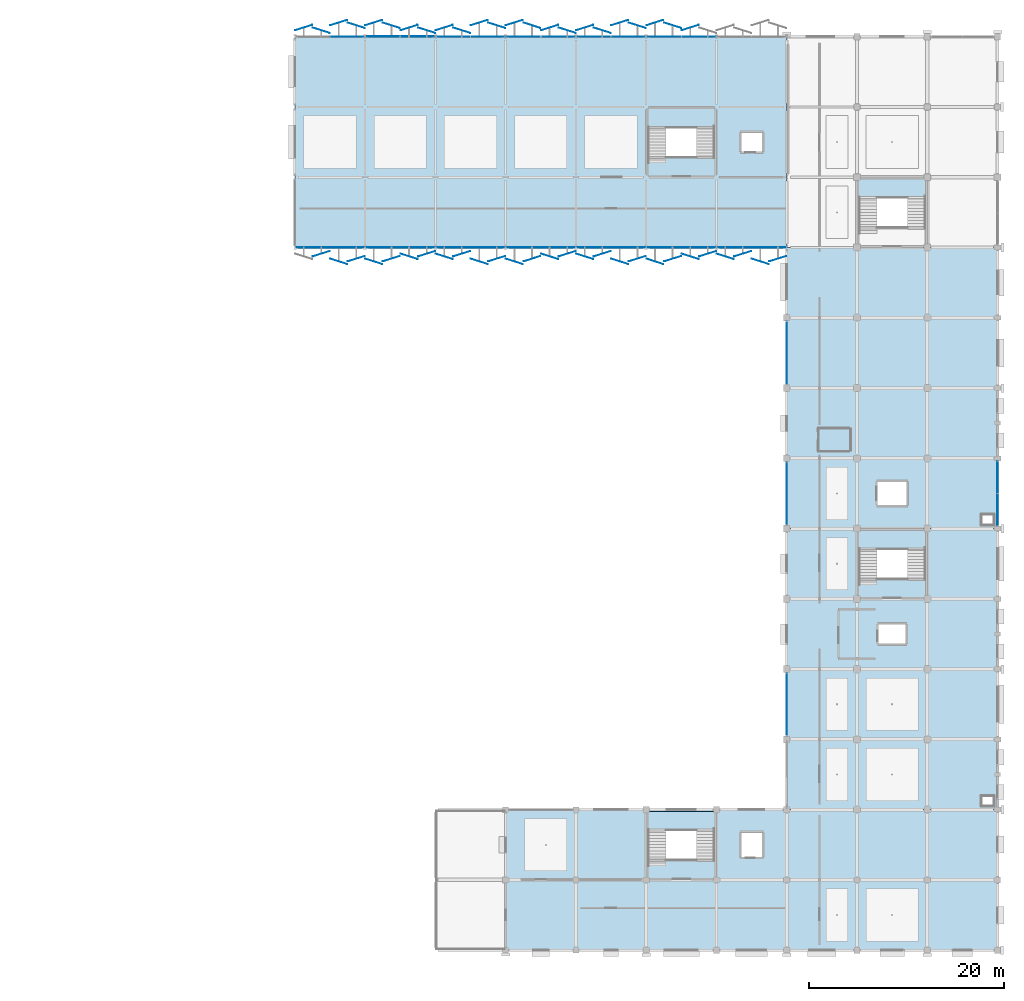
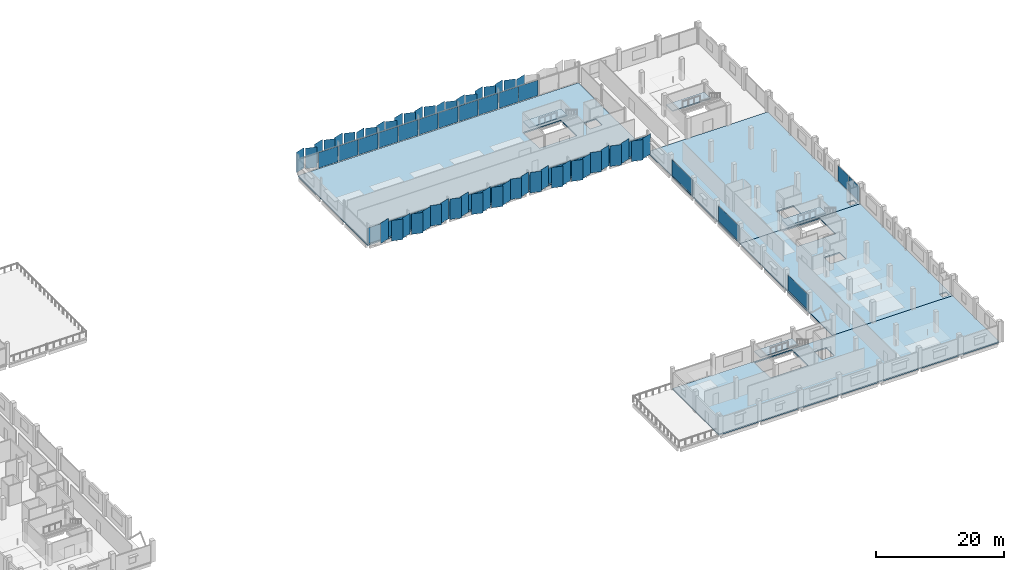
# One storey, part 62 of 91: 73 plates, 8 slabs, 21 elements without a shape of their own.
"""IFC4 building model written with IfcOpenShell, lengths in metres."""

from ifc_helpers import new_model, si_unit, direction, frame, origin, origin_2d, place, context, subcontext, project, spatial, polyline, rectangle, outline, extrude, material, layer, layer_set, type_object, element, aggregate, save


model = new_model("IFC4")

# Units and contexts
model_context = context("Model", 3, precision=1e-05, world=origin(), true_north=direction((0.0, 1.0)))
body_context = subcontext(model_context, "Body", "Model", "MODEL_VIEW")
ifc_project = project(units=[si_unit("LENGTHUNIT", "METRE"), si_unit("AREAUNIT", "SQUARE_METRE"), si_unit("VOLUMEUNIT", "CUBIC_METRE"), si_unit("PLANEANGLEUNIT", "RADIAN"), si_unit("MASSUNIT", "GRAM", prefix="KILO")], contexts=[model_context])

# Site, building, storey
site_placement = place(None, origin())
site = spatial("IfcSite", under=ifc_project, at=site_placement, CompositionType="ELEMENT")
building_placement = place(site_placement, origin())
building = spatial("IfcBuilding", under=site, at=building_placement, Name="Kangsadwip Square Police Headquarters", CompositionType="ELEMENT")
storey_placement = place(building_placement, frame((0.0, 0.0, 13.5)))
storey = spatial("IfcBuildingStorey", under=building, at=storey_placement, Name="L03", CompositionType="ELEMENT", Elevation=13.5)

# Curtain wall, plate
ifc_material_1 = material(Name="Thermally broken anodised aluminium AW-6063-T6", Category="aluminium")
ifc_layer_1 = layer(ifc_material_1, 0.159912109375)
ifc_layer_set_1 = layer_set([ifc_layer_1], Name="Thermally broken anodised aluminium AW-6063-T6")
curtain_wall_type_1 = type_object("IfcCurtainWallType", Name="CourtScreen7180x3200", PredefinedType="USERDEFINED", material=ifc_layer_set_1)
curtain_wall_1_placement = place(storey_placement, origin())
curtain_wall_1 = element("IfcCurtainWall", 1, at=curtain_wall_1_placement, inside=storey, type_object=curtain_wall_type_1, Name="Curtain Wall CW-L03-0936-0936", ObjectType="GLAZED_SCREEN", PredefinedType="USERDEFINED")
ifc_material_2 = material(Name="Double-glazed solar-control low-E safety glass", Category="glass")
ifc_layer_2 = layer(ifc_material_2, 0.02392578125)
ifc_layer_set_2 = layer_set([ifc_layer_2], Name="Double-glazed solar-control low-E safety glass")
plate_type_1 = type_object("IfcPlateType", Name="CwCourtVisionPanel24", PredefinedType="CURTAIN_PANEL", material=ifc_layer_set_2)
plate_1_placement = place(storey_placement, frame((97.199951171875, 93.60009765625, 0.1201171875), z_axis=(0.0, 0.0, 1.0), x_axis=(1.0, 0.0, 0.0)))
plate_1 = element("IfcPlate", 2, at=plate_1_placement, type_object=plate_type_1, Name="CW-17 panel 1.1", PredefinedType="CURTAIN_PANEL", context=body_context, shape_type="SweptSolid", body=[
    extrude(rectangle(XDim=7.06005859375, YDim=0.02392578125, at=origin_2d()), origin(), (0.0, 0.0, 1.0), 2.9599609375),
])
aggregate(curtain_wall_1, [plate_1])

curtain_wall_2_placement = place(storey_placement, origin())
curtain_wall_2 = element("IfcCurtainWall", 3, at=curtain_wall_2_placement, inside=storey, type_object=curtain_wall_type_1, Name="Curtain Wall CW-L03-1008-0936", ObjectType="GLAZED_SCREEN", PredefinedType="USERDEFINED")
plate_2_placement = place(storey_placement, frame((104.39990234375, 93.60009765625, 0.1201171875), z_axis=(0.0, 0.0, 1.0), x_axis=(1.0, 0.0, 0.0)))
plate_2 = element("IfcPlate", 4, at=plate_2_placement, type_object=plate_type_1, Name="CW-17 panel 1.1", PredefinedType="CURTAIN_PANEL", context=body_context, shape_type="SweptSolid", body=[
    extrude(rectangle(XDim=7.06005859375, YDim=0.02392578125, at=origin_2d()), origin(), (0.0, 0.0, 1.0), 2.9599609375),
])
aggregate(curtain_wall_2, [plate_2])

curtain_wall_3_placement = place(storey_placement, origin())
curtain_wall_3 = element("IfcCurtainWall", 5, at=curtain_wall_3_placement, inside=storey, type_object=curtain_wall_type_1, Name="Curtain Wall CW-L03-1080-0936", ObjectType="GLAZED_SCREEN", PredefinedType="USERDEFINED")
plate_3_placement = place(storey_placement, frame((111.60009765625, 93.60009765625, 0.1201171875), z_axis=(0.0, 0.0, 1.0), x_axis=(1.0, 0.0, 0.0)))
plate_3 = element("IfcPlate", 6, at=plate_3_placement, type_object=plate_type_1, Name="CW-17 panel 1.1", PredefinedType="CURTAIN_PANEL", context=body_context, shape_type="SweptSolid", body=[
    extrude(rectangle(XDim=7.06005859375, YDim=0.02392578125, at=origin_2d()), origin(), (0.0, 0.0, 1.0), 2.9599609375),
])
aggregate(curtain_wall_3, [plate_3])

curtain_wall_4_placement = place(storey_placement, origin())
curtain_wall_4 = element("IfcCurtainWall", 7, at=curtain_wall_4_placement, inside=storey, type_object=curtain_wall_type_1, Name="Curtain Wall CW-L03-1152-0936", ObjectType="GLAZED_SCREEN", PredefinedType="USERDEFINED")
plate_4_placement = place(storey_placement, frame((118.800048828125, 93.60009765625, 0.1201171875), z_axis=(0.0, 0.0, 1.0), x_axis=(1.0, 0.0, 0.0)))
plate_4 = element("IfcPlate", 8, at=plate_4_placement, type_object=plate_type_1, Name="CW-17 panel 1.1", PredefinedType="CURTAIN_PANEL", context=body_context, shape_type="SweptSolid", body=[
    extrude(rectangle(XDim=7.06005859375, YDim=0.02392578125, at=origin_2d()), origin(), (0.0, 0.0, 1.0), 2.9599609375),
])
aggregate(curtain_wall_4, [plate_4])

curtain_wall_5_placement = place(storey_placement, origin())
curtain_wall_5 = element("IfcCurtainWall", 9, at=curtain_wall_5_placement, inside=storey, type_object=curtain_wall_type_1, Name="Curtain Wall CW-L03-1224-0936", ObjectType="GLAZED_SCREEN", PredefinedType="USERDEFINED")
plate_5_placement = place(storey_placement, frame((126.0, 93.60009765625, 0.1201171875), z_axis=(0.0, 0.0, 1.0), x_axis=(1.0, 0.0, 0.0)))
plate_5 = element("IfcPlate", 10, at=plate_5_placement, type_object=plate_type_1, Name="CW-17 panel 1.1", PredefinedType="CURTAIN_PANEL", context=body_context, shape_type="SweptSolid", body=[
    extrude(rectangle(XDim=7.06005859375, YDim=0.02392578125, at=origin_2d()), origin(), (0.0, 0.0, 1.0), 2.9599609375),
])
aggregate(curtain_wall_5, [plate_5])

curtain_wall_6_placement = place(storey_placement, origin())
curtain_wall_6 = element("IfcCurtainWall", 11, at=curtain_wall_6_placement, inside=storey, type_object=curtain_wall_type_1, Name="Curtain Wall CW-L03-1296-0936", ObjectType="GLAZED_SCREEN", PredefinedType="USERDEFINED")
plate_6_placement = place(storey_placement, frame((133.199951171875, 93.60009765625, 0.1201171875), z_axis=(0.0, 0.0, 1.0), x_axis=(1.0, 0.0, 0.0)))
plate_6 = element("IfcPlate", 12, at=plate_6_placement, type_object=plate_type_1, Name="CW-17 panel 1.1", PredefinedType="CURTAIN_PANEL", context=body_context, shape_type="SweptSolid", body=[
    extrude(rectangle(XDim=7.06005859375, YDim=0.02392578125, at=origin_2d()), origin(), (0.0, 0.0, 1.0), 2.9599609375),
])
aggregate(curtain_wall_6, [plate_6])

curtain_wall_7_placement = place(storey_placement, origin())
curtain_wall_7 = element("IfcCurtainWall", 13, at=curtain_wall_7_placement, inside=storey, type_object=curtain_wall_type_1, Name="Curtain Wall CW-L03-1368-0936", ObjectType="GLAZED_SCREEN", PredefinedType="USERDEFINED")
plate_7_placement = place(storey_placement, frame((140.39990234375, 93.60009765625, 0.1201171875), z_axis=(0.0, 0.0, 1.0), x_axis=(1.0, 0.0, 0.0)))
plate_7 = element("IfcPlate", 14, at=plate_7_placement, type_object=plate_type_1, Name="CW-17 panel 1.1", PredefinedType="CURTAIN_PANEL", context=body_context, shape_type="SweptSolid", body=[
    extrude(rectangle(XDim=7.06005859375, YDim=0.02392578125, at=origin_2d()), origin(), (0.0, 0.0, 1.0), 2.9599609375),
])
aggregate(curtain_wall_7, [plate_7])

ifc_material_3 = material(Name="Thermally broken anodised aluminium AW-6063-T6", Category="aluminium")
ifc_layer_3 = layer(ifc_material_3, 0.159912109375)
ifc_layer_set_3 = layer_set([ifc_layer_3], Name="Thermally broken anodised aluminium AW-6063-T6")
curtain_wall_type_2 = type_object("IfcCurtainWallType", Name="CourtScreen6510x3200", PredefinedType="USERDEFINED", material=ifc_layer_set_3)
curtain_wall_8_placement = place(storey_placement, origin())
curtain_wall_8 = element("IfcCurtainWall", 15, at=curtain_wall_8_placement, inside=storey, type_object=curtain_wall_type_2, Name="Curtain Wall CW-L03-1440-0435", ObjectType="GLAZED_SCREEN", PredefinedType="USERDEFINED")
plate_8_placement = place(storey_placement, frame((144.0, 46.800048828125, 0.1201171875), z_axis=(0.0, 0.0, 1.0), x_axis=(0.0, 1.0, 0.0)))
plate_8 = element("IfcPlate", 16, at=plate_8_placement, type_object=plate_type_1, Name="CW-19 panel 1.1", PredefinedType="CURTAIN_PANEL", context=body_context, shape_type="SweptSolid", body=[
    extrude(rectangle(XDim=6.389892578125, YDim=0.02392578125, at=origin_2d()), origin(), (0.0, 0.0, 1.0), 2.9599609375),
])
aggregate(curtain_wall_8, [plate_8])

curtain_wall_9_placement = place(storey_placement, origin())
curtain_wall_9 = element("IfcCurtainWall", 17, at=curtain_wall_9_placement, inside=storey, type_object=curtain_wall_type_2, Name="Curtain Wall CW-L03-1440-0651", ObjectType="GLAZED_SCREEN", PredefinedType="USERDEFINED")
plate_9_placement = place(storey_placement, frame((144.0, 68.39990234375, 0.1201171875), z_axis=(0.0, 0.0, 1.0), x_axis=(0.0, 1.0, 0.0)))
plate_9 = element("IfcPlate", 18, at=plate_9_placement, type_object=plate_type_1, Name="CW-19 panel 1.1", PredefinedType="CURTAIN_PANEL", context=body_context, shape_type="SweptSolid", body=[
    extrude(rectangle(XDim=6.389892578125, YDim=0.02392578125, at=origin_2d()), origin(), (0.0, 0.0, 1.0), 2.9599609375),
])
aggregate(curtain_wall_9, [plate_9])

curtain_wall_10_placement = place(storey_placement, origin())
curtain_wall_10 = element("IfcCurtainWall", 19, at=curtain_wall_10_placement, inside=storey, type_object=curtain_wall_type_2, Name="Curtain Wall CW-L03-1440-0795", ObjectType="GLAZED_SCREEN", PredefinedType="USERDEFINED")
plate_10_placement = place(storey_placement, frame((144.0, 82.800048828125, 0.1201171875), z_axis=(0.0, 0.0, 1.0), x_axis=(0.0, 1.0, 0.0)))
plate_10 = element("IfcPlate", 20, at=plate_10_placement, type_object=plate_type_1, Name="CW-19 panel 1.1", PredefinedType="CURTAIN_PANEL", context=body_context, shape_type="SweptSolid", body=[
    extrude(rectangle(XDim=6.389892578125, YDim=0.02392578125, at=origin_2d()), origin(), (0.0, 0.0, 1.0), 2.9599609375),
])
aggregate(curtain_wall_10, [plate_10])

ifc_material_4 = material(Name="Thermally broken anodised aluminium AW-6063-T6", Category="aluminium")
ifc_layer_4 = layer(ifc_material_4, 0.159912109375)
ifc_layer_set_4 = layer_set([ifc_layer_4], Name="Thermally broken anodised aluminium AW-6063-T6")
curtain_wall_type_3 = type_object("IfcCurtainWallType", Name="UnitisedCw7180x3200", PredefinedType="NOTDEFINED", material=ifc_layer_set_4)
curtain_wall_11_placement = place(storey_placement, origin())
curtain_wall_11 = element("IfcCurtainWall", 21, at=curtain_wall_11_placement, inside=storey, type_object=curtain_wall_type_3, Name="Curtain Wall CW-L03-0936-1152", PredefinedType="NOTDEFINED")
ifc_material_5 = material(Name="Double-glazed solar-control low-E safety glass", Category="glass")
ifc_layer_5 = layer(ifc_material_5, 0.028076171875)
ifc_layer_set_5 = layer_set([ifc_layer_5], Name="Double-glazed solar-control low-E safety glass")
plate_type_2 = type_object("IfcPlateType", Name="CwSolarVisionPanel28", PredefinedType="CURTAIN_PANEL", material=ifc_layer_set_5)
plate_11_placement = place(storey_placement, frame((98.978759765625, 115.199951171875, 0.130126953125), z_axis=(0.0, 0.0, 1.0), x_axis=(1.0, 0.0, 0.0)))
plate_11 = element("IfcPlate", 22, at=plate_11_placement, type_object=plate_type_2, Name="CW-38 panel 2.1", PredefinedType="CURTAIN_PANEL", context=body_context, shape_type="SweptSolid", body=[
    extrude(rectangle(XDim=3.492431640625, YDim=0.028076171875, at=origin_2d()), origin(), (0.0, 0.0, 1.0), 2.93994140625),
])
aggregate(curtain_wall_11, [plate_11])

# Curtain wall, plates
curtain_wall_12_placement = place(storey_placement, origin())
curtain_wall_12 = element("IfcCurtainWall", 23, at=curtain_wall_12_placement, inside=storey, type_object=curtain_wall_type_3, Name="Curtain Wall CW-L03-1080-1152", PredefinedType="NOTDEFINED")
plate_12_placement = place(storey_placement, frame((109.8212890625, 115.199951171875, 0.130126953125), z_axis=(0.0, 0.0, 1.0), x_axis=(1.0, 0.0, 0.0)))
plate_12 = element("IfcPlate", 24, at=plate_12_placement, type_object=plate_type_2, Name="CW-38 panel 1.1", PredefinedType="CURTAIN_PANEL", context=body_context, shape_type="SweptSolid", body=[
    extrude(rectangle(XDim=3.492431640625, YDim=0.028076171875, at=origin_2d()), origin(), (0.0, 0.0, 1.0), 2.93994140625),
])
plate_13_placement = place(storey_placement, frame((113.378662109375, 115.199951171875, 0.130126953125), z_axis=(0.0, 0.0, 1.0), x_axis=(1.0, 0.0, 0.0)))
plate_13 = element("IfcPlate", 25, at=plate_13_placement, type_object=plate_type_2, Name="CW-38 panel 2.1", PredefinedType="CURTAIN_PANEL", context=body_context, shape_type="SweptSolid", body=[
    extrude(rectangle(XDim=3.492431640625, YDim=0.028076171875, at=origin_2d()), origin(), (0.0, 0.0, 1.0), 2.93994140625),
])
aggregate(curtain_wall_12, [plate_12, plate_13])

curtain_wall_13_placement = place(storey_placement, origin())
curtain_wall_13 = element("IfcCurtainWall", 26, at=curtain_wall_13_placement, inside=storey, type_object=curtain_wall_type_3, Name="Curtain Wall CW-L03-1152-1152", PredefinedType="NOTDEFINED")
plate_14_placement = place(storey_placement, frame((117.021240234375, 115.199951171875, 0.130126953125), z_axis=(0.0, 0.0, 1.0), x_axis=(1.0, 0.0, 0.0)))
plate_14 = element("IfcPlate", 27, at=plate_14_placement, type_object=plate_type_2, Name="CW-38 panel 1.1", PredefinedType="CURTAIN_PANEL", context=body_context, shape_type="SweptSolid", body=[
    extrude(rectangle(XDim=3.492431640625, YDim=0.028076171875, at=origin_2d()), origin(), (0.0, 0.0, 1.0), 2.93994140625),
])
plate_15_placement = place(storey_placement, frame((120.578857421875, 115.199951171875, 0.130126953125), z_axis=(0.0, 0.0, 1.0), x_axis=(1.0, 0.0, 0.0)))
plate_15 = element("IfcPlate", 28, at=plate_15_placement, type_object=plate_type_2, Name="CW-38 panel 2.1", PredefinedType="CURTAIN_PANEL", context=body_context, shape_type="SweptSolid", body=[
    extrude(rectangle(XDim=3.492431640625, YDim=0.028076171875, at=origin_2d()), origin(), (0.0, 0.0, 1.0), 2.93994140625),
])
aggregate(curtain_wall_13, [plate_14, plate_15])

curtain_wall_14_placement = place(storey_placement, origin())
curtain_wall_14 = element("IfcCurtainWall", 29, at=curtain_wall_14_placement, inside=storey, type_object=curtain_wall_type_3, Name="Curtain Wall CW-L03-1224-1152", PredefinedType="NOTDEFINED")
plate_16_placement = place(storey_placement, frame((124.22119140625, 115.199951171875, 0.130126953125), z_axis=(0.0, 0.0, 1.0), x_axis=(1.0, 0.0, 0.0)))
plate_16 = element("IfcPlate", 30, at=plate_16_placement, type_object=plate_type_2, Name="CW-38 panel 1.1", PredefinedType="CURTAIN_PANEL", context=body_context, shape_type="SweptSolid", body=[
    extrude(rectangle(XDim=3.492431640625, YDim=0.028076171875, at=origin_2d()), origin(), (0.0, 0.0, 1.0), 2.93994140625),
])
plate_17_placement = place(storey_placement, frame((127.77880859375, 115.199951171875, 0.130126953125), z_axis=(0.0, 0.0, 1.0), x_axis=(1.0, 0.0, 0.0)))
plate_17 = element("IfcPlate", 31, at=plate_17_placement, type_object=plate_type_2, Name="CW-38 panel 2.1", PredefinedType="CURTAIN_PANEL", context=body_context, shape_type="SweptSolid", body=[
    extrude(rectangle(XDim=3.492431640625, YDim=0.028076171875, at=origin_2d()), origin(), (0.0, 0.0, 1.0), 2.93994140625),
])
aggregate(curtain_wall_14, [plate_16, plate_17])

curtain_wall_15_placement = place(storey_placement, origin())
curtain_wall_15 = element("IfcCurtainWall", 32, at=curtain_wall_15_placement, inside=storey, type_object=curtain_wall_type_3, Name="Curtain Wall CW-L03-1296-1152", PredefinedType="NOTDEFINED")
plate_18_placement = place(storey_placement, frame((131.421142578125, 115.199951171875, 0.130126953125), z_axis=(0.0, 0.0, 1.0), x_axis=(1.0, 0.0, 0.0)))
plate_18 = element("IfcPlate", 33, at=plate_18_placement, type_object=plate_type_2, Name="CW-38 panel 1.1", PredefinedType="CURTAIN_PANEL", context=body_context, shape_type="SweptSolid", body=[
    extrude(rectangle(XDim=3.492431640625, YDim=0.028076171875, at=origin_2d()), origin(), (0.0, 0.0, 1.0), 2.93994140625),
])
plate_19_placement = place(storey_placement, frame((134.978759765625, 115.199951171875, 0.130126953125), z_axis=(0.0, 0.0, 1.0), x_axis=(1.0, 0.0, 0.0)))
plate_19 = element("IfcPlate", 34, at=plate_19_placement, type_object=plate_type_2, Name="CW-38 panel 2.1", PredefinedType="CURTAIN_PANEL", context=body_context, shape_type="SweptSolid", body=[
    extrude(rectangle(XDim=3.492431640625, YDim=0.028076171875, at=origin_2d()), origin(), (0.0, 0.0, 1.0), 2.93994140625),
])
aggregate(curtain_wall_15, [plate_18, plate_19])

ifc_material_6 = material(Name="Thermally broken anodised aluminium AW-6063-T6", Category="aluminium")
ifc_layer_6 = layer(ifc_material_6, 0.159912109375)
ifc_layer_set_6 = layer_set([ifc_layer_6], Name="Thermally broken anodised aluminium AW-6063-T6")
curtain_wall_type_4 = type_object("IfcCurtainWallType", Name="UnitisedCw6710x3200", PredefinedType="NOTDEFINED", material=ifc_layer_set_6)
curtain_wall_16_placement = place(storey_placement, origin())
curtain_wall_16 = element("IfcCurtainWall", 35, at=curtain_wall_16_placement, inside=storey, type_object=curtain_wall_type_4, Name="Curtain Wall CW-L03-1656-0650", PredefinedType="NOTDEFINED")
plate_20_placement = place(storey_placement, frame((165.60009765625, 66.73876953125, 0.130126953125), z_axis=(0.0, 0.0, 1.0), x_axis=(0.0, 1.0, 0.0)))
plate_20 = element("IfcPlate", 36, at=plate_20_placement, type_object=plate_type_2, Name="CW-41 panel 1.1", PredefinedType="CURTAIN_PANEL", context=body_context, shape_type="SweptSolid", body=[
    extrude(rectangle(XDim=3.257568359375, YDim=0.028076171875, at=origin_2d()), origin(), (0.0, 0.0, 1.0), 2.93994140625),
])
plate_21_placement = place(storey_placement, frame((165.60009765625, 70.061279296875, 0.130126953125), z_axis=(0.0, 0.0, 1.0), x_axis=(0.0, 1.0, 0.0)))
plate_21 = element("IfcPlate", 37, at=plate_21_placement, type_object=plate_type_2, Name="CW-41 panel 2.1", PredefinedType="CURTAIN_PANEL", context=body_context, shape_type="SweptSolid", body=[
    extrude(rectangle(XDim=3.257568359375, YDim=0.028076171875, at=origin_2d()), origin(), (0.0, 0.0, 1.0), 2.93994140625),
])
aggregate(curtain_wall_16, [plate_20, plate_21])

curtain_wall_17_placement = place(storey_placement, origin())
curtain_wall_17 = element("IfcCurtainWall", 38, at=curtain_wall_17_placement, inside=storey, type_object=curtain_wall_type_3, Name="Curtain Wall CW-L03-1008-1152", PredefinedType="NOTDEFINED")
ifc_material_7 = material(Name="Insulated ceramic-fritted spandrel safety glass", Category="glass")
ifc_layer_7 = layer(ifc_material_7, 0.0400390625)
ifc_layer_set_7 = layer_set([ifc_layer_7], Name="Insulated ceramic-fritted spandrel safety glass")
plate_type_3 = type_object("IfcPlateType", Name="CwSpandrelSheetPanel40", PredefinedType="SHEET", material=ifc_layer_set_7)
plate_22_placement = place(storey_placement, frame((102.621337890625, 115.199951171875, 0.130126953125), z_axis=(0.0, 0.0, 1.0), x_axis=(1.0, 0.0, 0.0)))
plate_22 = element("IfcPlate", 39, at=plate_22_placement, type_object=plate_type_3, Name="CW-38 panel 1.1", PredefinedType="SHEET", context=body_context, shape_type="SweptSolid", body=[
    extrude(rectangle(XDim=3.492431640625, YDim=0.0400390625, at=origin_2d()), origin(), (0.0, 0.0, 1.0), 2.93994140625),
])
plate_23_placement = place(storey_placement, frame((106.1787109375, 115.199951171875, 0.130126953125), z_axis=(0.0, 0.0, 1.0), x_axis=(1.0, 0.0, 0.0)))
plate_23 = element("IfcPlate", 40, at=plate_23_placement, type_object=plate_type_3, Name="CW-38 panel 2.1", PredefinedType="SHEET", context=body_context, shape_type="SweptSolid", body=[
    extrude(rectangle(XDim=3.492431640625, YDim=0.0400390625, at=origin_2d()), origin(), (0.0, 0.0, 1.0), 2.93994140625),
])
aggregate(curtain_wall_17, [plate_22, plate_23])

# Slabs
ifc_material_8 = material(Name="Concrete M35 (35 MPa)", Category="concrete")
ifc_layer_8 = layer(ifc_material_8, 0.239990234375)
ifc_layer_set_8 = layer_set([ifc_layer_8], Name="Concrete M35 (35 MPa)")
slab_type_1 = type_object("IfcSlabType", Name="MainFloorSlab240", PredefinedType="FLOOR", material=ifc_layer_set_8)
slab_1_placement = place(storey_placement, frame((0.0, 0.0, -0.239990234375)))
element("IfcSlab", 41, at=slab_1_placement, inside=storey, type_object=slab_type_1, Name="L03 Vol2 Slab SL-L03-040", PredefinedType="FLOOR", context=body_context, shape_type="SweptSolid", body=[
    extrude(outline(polyline([(93.60009765625, 93.60009765625), (93.60009765625, 115.199951171875), (144.0, 115.199951171875), (144.0, 93.60009765625), (93.60009765625, 93.60009765625)]), holes=[polyline([(136.580078125, 102.8798828125), (136.580078125, 107.780029296875), (129.820068359375, 107.780029296875), (129.820068359375, 102.8798828125), (136.580078125, 102.8798828125)]), polyline([(141.47509765625, 103.425048828125), (141.47509765625, 105.375), (139.324951171875, 105.375), (139.324951171875, 103.425048828125), (141.47509765625, 103.425048828125)])]), origin(), (0.0, 0.0, 1.0), 0.239990234375),
])
slab_2_placement = place(storey_placement, frame((0.0, 0.0, -0.239990234375)))
element("IfcSlab", 42, at=slab_2_placement, inside=storey, type_object=slab_type_1, Name="L03 Vol6S Slab SL-L03-044", PredefinedType="FLOOR", context=body_context, shape_type="SweptSolid", body=[
    extrude(outline(polyline([(144.0, 36.0), (144.0, 64.800048828125), (165.60009765625, 64.800048828125), (165.60009765625, 36.0), (144.0, 36.0)]), holes=[polyline([(165.199951171875, 36.39990234375), (165.199951171875, 37.39990234375), (164.0, 37.39990234375), (164.0, 36.39990234375), (165.199951171875, 36.39990234375)]), polyline([(156.199951171875, 53.0), (156.199951171875, 55.0), (153.39990234375, 55.0), (153.39990234375, 53.0), (156.199951171875, 53.0)]), polyline([(158.179931640625, 59.679931640625), (158.179931640625, 64.580078125), (151.419921875, 64.580078125), (151.419921875, 59.679931640625), (158.179931640625, 59.679931640625)])]), origin(), (0.0, 0.0, 1.0), 0.239990234375),
])
slab_3_placement = place(storey_placement, frame((0.0, 0.0, -0.239990234375)))
element("IfcSlab", 43, at=slab_3_placement, inside=storey, type_object=slab_type_1, Name="L03 Vol6N Slab SL-L03-045", PredefinedType="FLOOR", context=body_context, shape_type="SweptSolid", body=[
    extrude(outline(polyline([(144.0, 64.800048828125), (144.0, 93.60009765625), (165.60009765625, 93.60009765625), (165.60009765625, 64.800048828125), (144.0, 64.800048828125)]), holes=[polyline([(165.199951171875, 66.199951171875), (164.0, 66.199951171875), (164.0, 65.199951171875), (165.199951171875, 65.199951171875), (165.199951171875, 66.199951171875)]), polyline([(156.300048828125, 69.60009765625), (153.300048828125, 69.60009765625), (153.300048828125, 67.199951171875), (156.300048828125, 67.199951171875), (156.300048828125, 69.60009765625)])]), origin(), (0.0, 0.0, 1.0), 0.239990234375),
])
slab_4_placement = place(storey_placement, frame((0.0, 0.0, -0.239990234375)))
element("IfcSlab", 44, at=slab_4_placement, inside=storey, type_object=slab_type_1, Name="L03 Vol7 Slab SL-L03-046", PredefinedType="FLOOR", context=body_context, shape_type="SweptSolid", body=[
    extrude(outline(polyline([(115.199951171875, 21.60009765625), (115.199951171875, 36.0), (165.60009765625, 36.0), (165.60009765625, 21.60009765625), (115.199951171875, 21.60009765625)]), holes=[polyline([(141.47509765625, 33.64990234375), (139.324951171875, 33.64990234375), (139.324951171875, 31.14990234375), (141.47509765625, 31.14990234375), (141.47509765625, 33.64990234375)]), polyline([(136.580078125, 30.8798828125), (136.580078125, 35.780029296875), (129.820068359375, 35.780029296875), (129.820068359375, 30.8798828125), (136.580078125, 30.8798828125)])]), origin(), (0.0, 0.0, 1.0), 0.239990234375),
])

# Plates
ifc_material_9 = material(Name="PVDF-coated perforated marine-grade aluminium AW-5052-H32", Category="aluminium")
ifc_layer_9 = layer(ifc_material_9, 0.0048828125)
ifc_layer_set_9 = layer_set([ifc_layer_9], Name="PVDF-coated perforated marine-grade aluminium AW-5052-H32")
plate_type_4 = type_object("IfcPlateType", Name="PleatedVeilFacet5", PredefinedType="USERDEFINED", material=ifc_layer_set_9)
for number, where, z_axis, x_axis, name in (
    (45, (94.5, 116.12548828125, 0.080078125), (0.0, 0.0, 1.0), (0.953716950748, 0.300705799504, 0.0), "Pleated Perforated Veil Facet PVF-L03-0113"),
    (46, (96.300048828125, 115.845458984375, 0.080078125), (0.0, 0.0, 1.0), (0.953716950748, -0.300705799504, 0.0), "Pleated Perforated Veil Facet PVF-L03-0114"),
    (47, (98.10009765625, 116.634521484375, 0.080078125), (0.0, 0.0, 1.0), (0.953716950748, 0.300705799504, 0.0), "Pleated Perforated Veil Facet PVF-L03-0115"),
    (48, (99.89990234375, 116.3544921875, 0.080078125), (0.0, 0.0, 1.0), (0.953716950748, -0.300705799504, 0.0), "Pleated Perforated Veil Facet PVF-L03-0116"),
    (49, (101.699951171875, 116.634521484375, 0.080078125), (0.0, 0.0, 1.0), (0.953716950748, 0.300705799504, 0.0), "Pleated Perforated Veil Facet PVF-L03-0117"),
    (50, (103.5, 116.3544921875, 0.080078125), (0.0, 0.0, 1.0), (0.953716950748, -0.300705799504, 0.0), "Pleated Perforated Veil Facet PVF-L03-0118"),
    (51, (105.300048828125, 116.12548828125, 0.080078125), (0.0, 0.0, 1.0), (0.953716950748, 0.300705799504, 0.0), "Pleated Perforated Veil Facet PVF-L03-0119"),
    (52, (107.10009765625, 115.845458984375, 0.080078125), (0.0, 0.0, 1.0), (0.953716950748, -0.300705799504, 0.0), "Pleated Perforated Veil Facet PVF-L03-0120"),
    (53, (108.89990234375, 116.12548828125, 0.080078125), (0.0, 0.0, 1.0), (0.953716950748, 0.300705799504, 0.0), "Pleated Perforated Veil Facet PVF-L03-0121"),
    (54, (110.699951171875, 115.845458984375, 0.080078125), (0.0, 0.0, 1.0), (0.953716950748, -0.300705799504, 0.0), "Pleated Perforated Veil Facet PVF-L03-0122"),
    (55, (112.5, 116.634521484375, 0.080078125), (0.0, 0.0, 1.0), (0.953716950748, 0.300705799504, 0.0), "Pleated Perforated Veil Facet PVF-L03-0123"),
    (56, (114.300048828125, 116.3544921875, 0.080078125), (0.0, 0.0, 1.0), (0.953716950748, -0.300705799504, 0.0), "Pleated Perforated Veil Facet PVF-L03-0124"),
    (57, (116.10009765625, 116.634521484375, 0.080078125), (0.0, 0.0, 1.0), (0.953716950748, 0.300705799504, 0.0), "Pleated Perforated Veil Facet PVF-L03-0125"),
    (58, (117.89990234375, 116.3544921875, 0.080078125), (0.0, 0.0, 1.0), (0.953716950748, -0.300705799504, 0.0), "Pleated Perforated Veil Facet PVF-L03-0126"),
    (59, (119.699951171875, 116.12548828125, 0.080078125), (0.0, 0.0, 1.0), (0.953716950748, 0.300705799504, 0.0), "Pleated Perforated Veil Facet PVF-L03-0127"),
    (60, (121.5, 115.845458984375, 0.080078125), (0.0, 0.0, 1.0), (0.953716950748, -0.300705799504, 0.0), "Pleated Perforated Veil Facet PVF-L03-0128"),
    (61, (123.300048828125, 116.12548828125, 0.080078125), (0.0, 0.0, 1.0), (0.953716950748, 0.300705799504, 0.0), "Pleated Perforated Veil Facet PVF-L03-0129"),
    (62, (125.10009765625, 115.845458984375, 0.080078125), (0.0, 0.0, 1.0), (0.953716950748, -0.300705799504, 0.0), "Pleated Perforated Veil Facet PVF-L03-0130"),
    (63, (126.89990234375, 116.634521484375, 0.080078125), (0.0, 0.0, 1.0), (0.953716950748, 0.300705799504, 0.0), "Pleated Perforated Veil Facet PVF-L03-0131"),
    (64, (128.699951171875, 116.3544921875, 0.080078125), (0.0, 0.0, 1.0), (0.953716950748, -0.300705799504, 0.0), "Pleated Perforated Veil Facet PVF-L03-0132"),
    (65, (130.5, 116.634521484375, 0.080078125), (0.0, 0.0, 1.0), (0.953716950748, 0.300705799504, 0.0), "Pleated Perforated Veil Facet PVF-L03-0133"),
    (66, (132.300048828125, 116.3544921875, 0.080078125), (0.0, 0.0, 1.0), (0.953716950748, -0.300705799504, 0.0), "Pleated Perforated Veil Facet PVF-L03-0134"),
    (67, (134.10009765625, 116.12548828125, 0.080078125), (0.0, 0.0, 1.0), (0.953716950748, 0.300705799504, 0.0), "Pleated Perforated Veil Facet PVF-L03-0135"),
    (68, (96.300048828125, 92.95458984375, 0.080078125), (0.0, 0.0, 1.0), (0.953716950748, 0.300705799504, 0.0), "Pleated Perforated Veil Facet PVF-L03-0310"),
    (69, (98.10009765625, 92.165283203125, 0.080078125), (0.0, 0.0, 1.0), (0.953716950748, -0.300705799504, 0.0), "Pleated Perforated Veil Facet PVF-L03-0311"),
    (70, (99.89990234375, 92.4453125, 0.080078125), (0.0, 0.0, 1.0), (0.953716950748, 0.300705799504, 0.0), "Pleated Perforated Veil Facet PVF-L03-0312"),
    (71, (101.699951171875, 92.165283203125, 0.080078125), (0.0, 0.0, 1.0), (0.953716950748, -0.300705799504, 0.0), "Pleated Perforated Veil Facet PVF-L03-0313"),
    (72, (103.5, 92.4453125, 0.080078125), (0.0, 0.0, 1.0), (0.953716950748, 0.300705799504, 0.0), "Pleated Perforated Veil Facet PVF-L03-0314"),
    (73, (105.300048828125, 92.674560546875, 0.080078125), (0.0, 0.0, 1.0), (0.953716950748, -0.300705799504, 0.0), "Pleated Perforated Veil Facet PVF-L03-0315"),
    (74, (107.10009765625, 92.95458984375, 0.080078125), (0.0, 0.0, 1.0), (0.953716950748, 0.300705799504, 0.0), "Pleated Perforated Veil Facet PVF-L03-0316"),
    (75, (108.89990234375, 92.674560546875, 0.080078125), (0.0, 0.0, 1.0), (0.953716950748, -0.300705799504, 0.0), "Pleated Perforated Veil Facet PVF-L03-0317"),
    (76, (110.699951171875, 92.95458984375, 0.080078125), (0.0, 0.0, 1.0), (0.953716950748, 0.300705799504, 0.0), "Pleated Perforated Veil Facet PVF-L03-0318"),
    (77, (112.5, 92.165283203125, 0.080078125), (0.0, 0.0, 1.0), (0.953716950748, -0.300705799504, 0.0), "Pleated Perforated Veil Facet PVF-L03-0319"),
    (78, (114.300048828125, 92.4453125, 0.080078125), (0.0, 0.0, 1.0), (0.953716950748, 0.300705799504, 0.0), "Pleated Perforated Veil Facet PVF-L03-0320"),
    (79, (116.10009765625, 92.165283203125, 0.080078125), (0.0, 0.0, 1.0), (0.953716950748, -0.300705799504, 0.0), "Pleated Perforated Veil Facet PVF-L03-0321"),
    (80, (117.89990234375, 92.4453125, 0.080078125), (0.0, 0.0, 1.0), (0.953716950748, 0.300705799504, 0.0), "Pleated Perforated Veil Facet PVF-L03-0322"),
    (81, (119.699951171875, 92.674560546875, 0.080078125), (0.0, 0.0, 1.0), (0.953716950748, -0.300705799504, 0.0), "Pleated Perforated Veil Facet PVF-L03-0323"),
    (82, (121.5, 92.95458984375, 0.080078125), (0.0, 0.0, 1.0), (0.953716950748, 0.300705799504, 0.0), "Pleated Perforated Veil Facet PVF-L03-0324"),
    (83, (123.300048828125, 92.674560546875, 0.080078125), (0.0, 0.0, 1.0), (0.953716950748, -0.300705799504, 0.0), "Pleated Perforated Veil Facet PVF-L03-0325"),
    (84, (125.10009765625, 92.95458984375, 0.080078125), (0.0, 0.0, 1.0), (0.953716950748, 0.300705799504, 0.0), "Pleated Perforated Veil Facet PVF-L03-0326"),
    (85, (126.89990234375, 92.165283203125, 0.080078125), (0.0, 0.0, 1.0), (0.953716950748, -0.300705799504, 0.0), "Pleated Perforated Veil Facet PVF-L03-0327"),
    (86, (128.699951171875, 92.4453125, 0.080078125), (0.0, 0.0, 1.0), (0.953716950748, 0.300705799504, 0.0), "Pleated Perforated Veil Facet PVF-L03-0328"),
    (87, (130.5, 92.165283203125, 0.080078125), (0.0, 0.0, 1.0), (0.953716950748, -0.300705799504, 0.0), "Pleated Perforated Veil Facet PVF-L03-0329"),
    (88, (132.300048828125, 92.4453125, 0.080078125), (0.0, 0.0, 1.0), (0.953716950748, 0.300705799504, 0.0), "Pleated Perforated Veil Facet PVF-L03-0330"),
    (89, (134.10009765625, 92.674560546875, 0.080078125), (0.0, 0.0, 1.0), (0.953716950748, -0.300705799504, 0.0), "Pleated Perforated Veil Facet PVF-L03-0331"),
    (90, (135.89990234375, 92.95458984375, 0.080078125), (0.0, 0.0, 1.0), (0.953716950748, 0.300705799504, 0.0), "Pleated Perforated Veil Facet PVF-L03-0332"),
    (91, (137.699951171875, 92.674560546875, 0.080078125), (0.0, 0.0, 1.0), (0.953716950748, -0.300705799504, 0.0), "Pleated Perforated Veil Facet PVF-L03-0333"),
    (92, (139.5, 92.95458984375, 0.080078125), (0.0, 0.0, 1.0), (0.953716950748, 0.300705799504, 0.0), "Pleated Perforated Veil Facet PVF-L03-0334"),
    (93, (141.300048828125, 92.165283203125, 0.080078125), (0.0, 0.0, 1.0), (0.953716950748, -0.300705799504, 0.0), "Pleated Perforated Veil Facet PVF-L03-0335"),
    (94, (143.10009765625, 92.4453125, 0.080078125), (0.0, 0.0, 1.0), (0.953716950748, 0.300705799504, 0.0), "Pleated Perforated Veil Facet PVF-L03-0336"),
):
    element("IfcPlate", number, at=place(storey_placement, frame(where, z_axis=z_axis, x_axis=x_axis)), inside=storey, type_object=plate_type_4, Name=name, ObjectType="VEIL_FACET", PredefinedType="USERDEFINED", context=body_context, shape_type="SweptSolid", body=[
        extrude(rectangle(XDim=1.820068359375, YDim=0.0048828125, at=origin_2d()), origin(), (0.0, 0.0, 1.0), 3.89990234375),
    ])

# Stair, slab
ifc_material_10 = material(Name="Concrete M35 (35 MPa)", Category="concrete")
stair_type = type_object("IfcStairType", Name="Stair2FlightTypW1850", PredefinedType="HALF_TURN_STAIR", material=ifc_material_10)
stair_1_placement = place(storey_placement, origin())
stair_1 = element("IfcStair", 95, at=stair_1_placement, inside=storey, type_object=stair_type, Name="Protected Stair ST-03 L03", PredefinedType="HALF_TURN_STAIR")
ifc_material_11 = material(Name="Concrete M35 (35 MPa)", Category="concrete")
ifc_layer_10 = layer(ifc_material_11, 0.199951171875)
ifc_layer_set_10 = layer_set([ifc_layer_10], Name="Concrete M35 (35 MPa)")
slab_type_2 = type_object("IfcSlabType", Name="StairLandingSlab200", PredefinedType="LANDING", material=ifc_layer_set_10)
slab_5_placement = place(storey_placement, frame((0.0, 0.0, 1.906005859375)))
slab_5 = element("IfcSlab", 96, at=slab_5_placement, type_object=slab_type_2, Name="ST-03 landing 1", PredefinedType="LANDING", context=body_context, shape_type="SweptSolid", body=[
    extrude(outline(polyline([(151.3701171875, 62.679931640625), (158.22998046875, 62.679931640625), (158.22998046875, 64.6298828125), (151.3701171875, 64.6298828125), (151.3701171875, 62.679931640625)])), origin(), (0.0, 0.0, 1.0), 0.199951171875),
])
aggregate(stair_1, [slab_5])

stair_2_placement = place(storey_placement, origin())
stair_2 = element("IfcStair", 97, at=stair_2_placement, inside=storey, type_object=stair_type, Name="Protected Stair ST-04 L03", PredefinedType="HALF_TURN_STAIR")
slab_6_placement = place(storey_placement, frame((0.0, 0.0, 1.906005859375)))
slab_6 = element("IfcSlab", 98, at=slab_6_placement, type_object=slab_type_2, Name="ST-04 landing 1", PredefinedType="LANDING", context=body_context, shape_type="SweptSolid", body=[
    extrude(outline(polyline([(151.3701171875, 98.679931640625), (158.22998046875, 98.679931640625), (158.22998046875, 100.6298828125), (151.3701171875, 100.6298828125), (151.3701171875, 98.679931640625)])), origin(), (0.0, 0.0, 1.0), 0.199951171875),
])
aggregate(stair_2, [slab_6])

stair_3_placement = place(storey_placement, origin())
stair_3 = element("IfcStair", 99, at=stair_3_placement, inside=storey, type_object=stair_type, Name="Protected Stair ST-05 L03", PredefinedType="HALF_TURN_STAIR")
slab_7_placement = place(storey_placement, frame((0.0, 0.0, 1.906005859375)))
slab_7 = element("IfcSlab", 100, at=slab_7_placement, type_object=slab_type_2, Name="ST-05 landing 1", PredefinedType="LANDING", context=body_context, shape_type="SweptSolid", body=[
    extrude(outline(polyline([(129.77001953125, 105.8798828125), (136.6298828125, 105.8798828125), (136.6298828125, 107.830078125), (129.77001953125, 107.830078125), (129.77001953125, 105.8798828125)])), origin(), (0.0, 0.0, 1.0), 0.199951171875),
])
aggregate(stair_3, [slab_7])

stair_4_placement = place(storey_placement, origin())
stair_4 = element("IfcStair", 101, at=stair_4_placement, inside=storey, type_object=stair_type, Name="Protected Stair ST-06 L03", PredefinedType="HALF_TURN_STAIR")
slab_8_placement = place(storey_placement, frame((0.0, 0.0, 1.906005859375)))
slab_8 = element("IfcSlab", 102, at=slab_8_placement, type_object=slab_type_2, Name="ST-06 landing 1", PredefinedType="LANDING", context=body_context, shape_type="SweptSolid", body=[
    extrude(outline(polyline([(129.77001953125, 33.8798828125), (136.6298828125, 33.8798828125), (136.6298828125, 35.830078125), (129.77001953125, 35.830078125), (129.77001953125, 33.8798828125)])), origin(), (0.0, 0.0, 1.0), 0.199951171875),
])
aggregate(stair_4, [slab_8])

save(model, "model.ifc")
